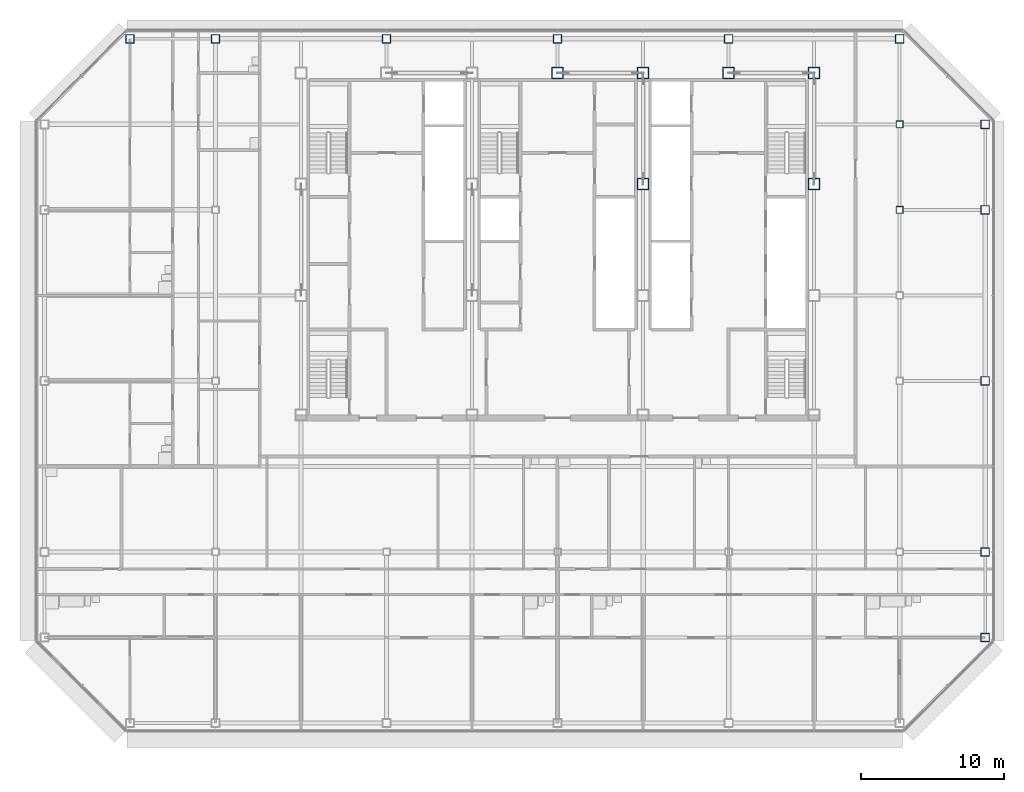
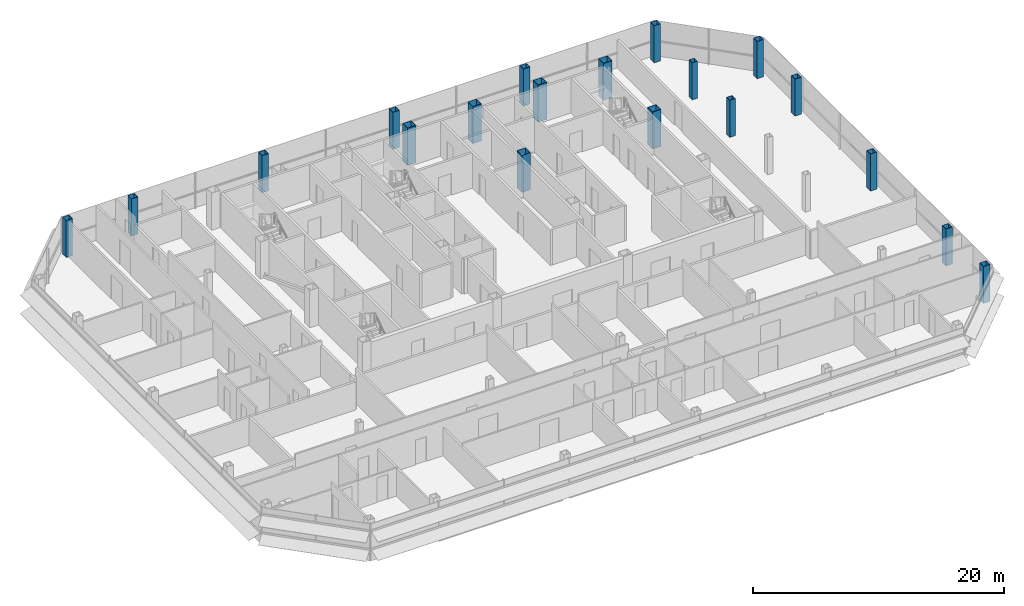
# One storey, part 2 of 28: 19 columns.
"""IFC4 building model written with IfcOpenShell, lengths in metres."""

from ifc_helpers import new_model, si_unit, direction, frame, origin, origin_2d, place, context, subcontext, project, spatial, hollow_rectangle, extrude, material, material_profile, profile_set, type_object, element, save


model = new_model("IFC4")

# Units and contexts
model_context = context("Model", 3, precision=1e-05, world=origin(), true_north=direction((0.0, 1.0)))
body_context = subcontext(model_context, "Body", "Model", "MODEL_VIEW")
ifc_project = project(units=[si_unit("LENGTHUNIT", "METRE"), si_unit("AREAUNIT", "SQUARE_METRE"), si_unit("VOLUMEUNIT", "CUBIC_METRE"), si_unit("PLANEANGLEUNIT", "RADIAN"), si_unit("MASSUNIT", "GRAM", prefix="KILO")], contexts=[model_context])

# Site, building, storey
site_placement = place(None, origin())
site = spatial("IfcSite", under=ifc_project, at=site_placement, CompositionType="ELEMENT")
building_placement = place(site_placement, origin())
building = spatial("IfcBuilding", under=site, at=building_placement, Name="Sorahane Residences", CompositionType="ELEMENT")
storey_placement = place(building_placement, frame((0.0, 0.0, 273.800048828125)))
storey = spatial("IfcBuildingStorey", under=building, at=storey_placement, Name="L65", CompositionType="ELEMENT", Elevation=273.800048828125)

# Columns
ifc_material_1 = material(Name="Steel Q355B", Category="steel")
ifc_material_profile_1 = material_profile(ifc_material_1, hollow_rectangle(XDim=0.5, YDim=0.5, WallThickness=0.02490234375, at=origin_2d()), Name="BOX 500x500x25")
ifc_profile_set_1 = profile_set([ifc_material_profile_1], Name="Steel Q355B")
column_type_1 = type_object("IfcColumnType", Name="Steel box column BOX 500x500x25 Q355B", PredefinedType="COLUMN", material=ifc_profile_set_1)
for number, where, z_axis, x_axis, name in (
    (1, (48.0, 36.0, 0.0), (0.0, 0.0, 1.0), (1.0, 0.0, 0.0), "Column L65 48/36"),
    (2, (48.0, 42.0, 0.0), (0.0, 0.0, 1.0), (1.0, 0.0, 0.0), "Column L65 48/42"),
):
    element("IfcColumn", number, at=place(storey_placement, frame(where, z_axis=z_axis, x_axis=x_axis)), inside=storey, type_object=column_type_1, Name=name, PredefinedType="COLUMN", context=body_context, shape_type="SweptSolid", body=[
        extrude(hollow_rectangle(XDim=0.5, YDim=0.5, WallThickness=0.02490234375, at=origin_2d()), origin(), (0.0, 0.0, 1.0), 3.599853515625),
    ])
ifc_material_2 = material(Name="Steel Q355B", Category="steel")
ifc_material_profile_2 = material_profile(ifc_material_2, hollow_rectangle(XDim=0.60009765625, YDim=0.60009765625, WallThickness=0.028076171875, at=origin_2d()), Name="BOX 600x600x28")
ifc_profile_set_2 = profile_set([ifc_material_profile_2], Name="Steel Q355B")
column_type_2 = type_object("IfcColumnType", Name="Steel box column BOX 600x600x28 Q355B", PredefinedType="COLUMN", material=ifc_profile_set_2)
for number, where, z_axis, x_axis, name in (
    (3, (-6.0, 48.0, 0.0), (0.0, 0.0, 1.0), (1.0, 0.0, 0.0), "Column L65 m6/48"),
    (4, (0.0, 48.0, 0.0), (0.0, 0.0, 1.0), (1.0, 0.0, 0.0), "Column L65 0/48"),
    (5, (12.0, 48.0, 0.0), (0.0, 0.0, 1.0), (1.0, 0.0, 0.0), "Column L65 12/48"),
    (6, (24.0, 48.0, 0.0), (0.0, 0.0, 1.0), (1.0, 0.0, 0.0), "Column L65 24/48"),
    (7, (36.0, 48.0, 0.0), (0.0, 0.0, 1.0), (1.0, 0.0, 0.0), "Column L65 36/48"),
    (8, (48.0, 48.0, 0.0), (0.0, 0.0, 1.0), (1.0, 0.0, 0.0), "Column L65 48/48"),
    (9, (54.0, 6.0, 0.0), (0.0, 0.0, 1.0), (1.0, 0.0, 0.0), "Column L65 54/6"),
    (10, (54.0, 12.0, 0.0), (0.0, 0.0, 1.0), (1.0, 0.0, 0.0), "Column L65 54/12"),
    (11, (54.0, 24.0, 0.0), (0.0, 0.0, 1.0), (1.0, 0.0, 0.0), "Column L65 54/24"),
    (12, (54.0, 36.0, 0.0), (0.0, 0.0, 1.0), (1.0, 0.0, 0.0), "Column L65 54/36"),
    (13, (54.0, 42.0, 0.0), (0.0, 0.0, 1.0), (1.0, 0.0, 0.0), "Column L65 54/42"),
):
    element("IfcColumn", number, at=place(storey_placement, frame(where, z_axis=z_axis, x_axis=x_axis)), inside=storey, type_object=column_type_2, Name=name, PredefinedType="COLUMN", context=body_context, shape_type="SweptSolid", body=[
        extrude(hollow_rectangle(XDim=0.60009765625, YDim=0.60009765625, WallThickness=0.028076171875, at=origin_2d()), origin(), (0.0, 0.0, 1.0), 3.599853515625),
    ])
ifc_material_3 = material(Name="Steel Q355B", Category="steel")
ifc_material_profile_3 = material_profile(ifc_material_3, hollow_rectangle(XDim=0.800048828125, YDim=0.800048828125, WallThickness=0.031982421875, at=origin_2d()), Name="BOX 800x800x32")
ifc_profile_set_3 = profile_set([ifc_material_profile_3], Name="Steel Q355B")
column_type_3 = type_object("IfcColumnType", Name="Steel box column BOX 800x800x32 Q355B", PredefinedType="COLUMN", material=ifc_profile_set_3)
for number, where, z_axis, x_axis, name in (
    (14, (24.0, 45.60009765625, 0.0), (0.0, 0.0, 1.0), (1.0, 0.0, 0.0), "Column L65 24/45.6"),
    (15, (30.0, 37.800048828125, 0.0), (0.0, 0.0, 1.0), (1.0, 0.0, 0.0), "Column L65 30/37.8"),
    (16, (30.0, 45.60009765625, 0.0), (0.0, 0.0, 1.0), (1.0, 0.0, 0.0), "Column L65 30/45.6"),
    (17, (36.0, 45.60009765625, 0.0), (0.0, 0.0, 1.0), (1.0, 0.0, 0.0), "Column L65 36/45.6"),
    (18, (42.0, 37.800048828125, 0.0), (0.0, 0.0, 1.0), (1.0, 0.0, 0.0), "Column L65 42/37.8"),
    (19, (42.0, 45.60009765625, 0.0), (0.0, 0.0, 1.0), (1.0, 0.0, 0.0), "Column L65 42/45.6"),
):
    element("IfcColumn", number, at=place(storey_placement, frame(where, z_axis=z_axis, x_axis=x_axis)), inside=storey, type_object=column_type_3, Name=name, PredefinedType="COLUMN", context=body_context, shape_type="SweptSolid", body=[
        extrude(hollow_rectangle(XDim=0.800048828125, YDim=0.800048828125, WallThickness=0.031982421875, at=origin_2d()), origin(), (0.0, 0.0, 1.0), 3.599853515625),
    ])

save(model, "model.ifc")
